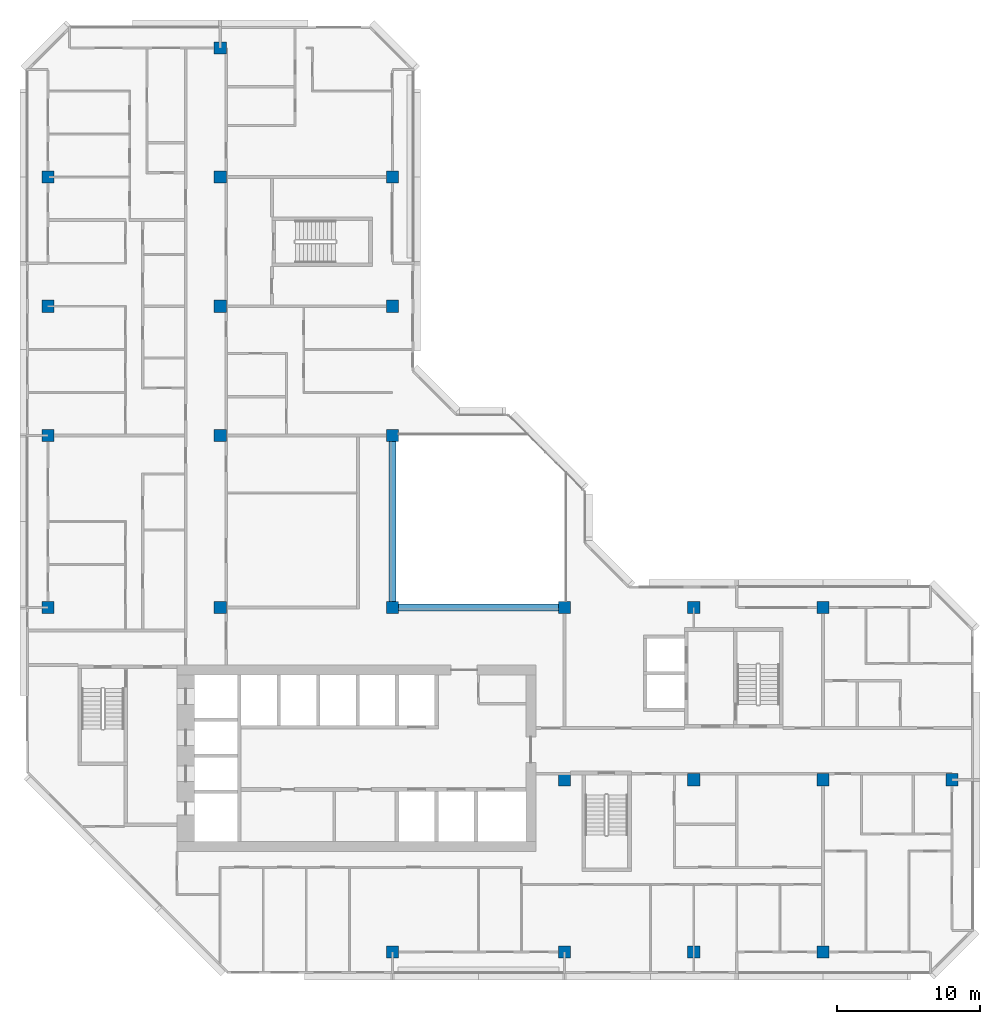
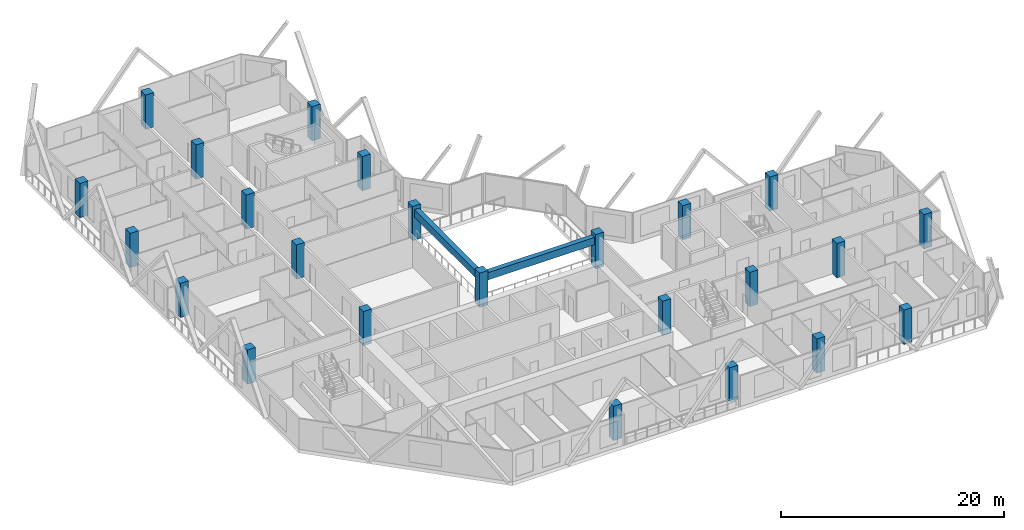
# One storey, part 1 of 16: 24 columns, 2 beams.
"""IFC4 building model written with IfcOpenShell, lengths in metres."""

from ifc_helpers import new_model, si_unit, direction, frame, origin, origin_2d, place, context, subcontext, project, spatial, rectangle, extrude, material, material_profile, profile_set, type_object, element, save


model = new_model("IFC4")

# Units and contexts
model_context = context("Model", 3, precision=1e-05, world=origin(), true_north=direction((0.0, 1.0)))
body_context = subcontext(model_context, "Body", "Model", "MODEL_VIEW")
ifc_project = project(units=[si_unit("LENGTHUNIT", "METRE"), si_unit("AREAUNIT", "SQUARE_METRE"), si_unit("VOLUMEUNIT", "CUBIC_METRE"), si_unit("PLANEANGLEUNIT", "RADIAN"), si_unit("MASSUNIT", "GRAM", prefix="KILO")], contexts=[model_context])

# Site, building, storey
site_placement = place(None, origin())
site = spatial("IfcSite", under=ifc_project, at=site_placement, CompositionType="ELEMENT")
building_placement = place(site_placement, origin())
building = spatial("IfcBuilding", under=site, at=building_placement, Name="Chenar Terraces", CompositionType="ELEMENT")
storey_placement = place(building_placement, frame((0.0, 0.0, 219.14990234375)))
storey = spatial("IfcBuildingStorey", under=building, at=storey_placement, Name="L51", CompositionType="ELEMENT", Elevation=219.14990234375)

# Columns
ifc_material_1 = material(Name="Concrete C60/75", Category="concrete")
ifc_material_profile_1 = material_profile(ifc_material_1, rectangle(XDim=0.85009765625, YDim=0.85009765625, at=origin_2d()), Name="C 850 x 850")
ifc_profile_set_1 = profile_set([ifc_material_profile_1], Name="Concrete C60/75")
column_type = type_object("IfcColumnType", Name="Column C 850 x 850 Concrete C60/75", PredefinedType="COLUMN", material=ifc_profile_set_1)
column_1_placement = place(storey_placement, frame((0.0, 24.0, 0.0), z_axis=(0.0, 0.0, 1.0), x_axis=(1.0, 0.0, 0.0)))
element("IfcColumn", 1, at=column_1_placement, inside=storey, type_object=column_type, Name="Column 5/G L51", PredefinedType="COLUMN", context=body_context, shape_type="SweptSolid", body=[
    extrude(rectangle(XDim=0.85009765625, YDim=0.85009765625, at=origin_2d()), origin(), (0.0, 0.0, 1.0), 3.75),
])
column_2_placement = place(storey_placement, frame((0.0, 36.0, 0.0), z_axis=(0.0, 0.0, 1.0), x_axis=(1.0, 0.0, 0.0)))
element("IfcColumn", 2, at=column_2_placement, inside=storey, type_object=column_type, Name="Column 5/H L51", PredefinedType="COLUMN", context=body_context, shape_type="SweptSolid", body=[
    extrude(rectangle(XDim=0.85009765625, YDim=0.85009765625, at=origin_2d()), origin(), (0.0, 0.0, 1.0), 3.75),
])
column_3_placement = place(storey_placement, frame((0.0, 45.0, 0.0), z_axis=(0.0, 0.0, 1.0), x_axis=(1.0, 0.0, 0.0)))
element("IfcColumn", 3, at=column_3_placement, inside=storey, type_object=column_type, Name="Column 5/J L51", PredefinedType="COLUMN", context=body_context, shape_type="SweptSolid", body=[
    extrude(rectangle(XDim=0.85009765625, YDim=0.85009765625, at=origin_2d()), origin(), (0.0, 0.0, 1.0), 3.75),
])
for number, where, z_axis, x_axis, name in (
    (4, (0.0, 54.0, 0.0), (0.0, 0.0, 1.0), (1.0, 0.0, 0.0), "Column 5/K L51"),
    (5, (12.0, 24.0, 0.0), (0.0, 0.0, 1.0), (1.0, 0.0, 0.0), "Column 6/G L51"),
    (6, (12.0, 36.0, 0.0), (0.0, 0.0, 1.0), (1.0, 0.0, 0.0), "Column 6/H L51"),
    (7, (12.0, 45.0, 0.0), (0.0, 0.0, 1.0), (1.0, 0.0, 0.0), "Column 6/J L51"),
    (8, (12.0, 54.0, 0.0), (0.0, 0.0, 1.0), (1.0, 0.0, 0.0), "Column 6/K L51"),
    (9, (12.0, 63.0, 0.0), (0.0, 0.0, 1.0), (1.0, 0.0, 0.0), "Column 6/L L51"),
    (10, (24.0, 0.0, 0.0), (0.0, 0.0, 1.0), (1.0, 0.0, 0.0), "Column 7/E L51"),
    (11, (24.0, 24.0, 0.0), (0.0, 0.0, 1.0), (1.0, 0.0, 0.0), "Column 7/G L51"),
    (12, (24.0, 36.0, 0.0), (0.0, 0.0, 1.0), (1.0, 0.0, 0.0), "Column 7/H L51"),
    (13, (24.0, 45.0, 0.0), (0.0, 0.0, 1.0), (1.0, 0.0, 0.0), "Column 7/J L51"),
    (14, (24.0, 54.0, 0.0), (0.0, 0.0, 1.0), (1.0, 0.0, 0.0), "Column 7/K L51"),
    (15, (36.0, 0.0, 0.0), (0.0, 0.0, 1.0), (1.0, 0.0, 0.0), "Column 8/E L51"),
    (16, (36.0, 12.0, 0.0), (0.0, 0.0, 1.0), (1.0, 0.0, 0.0), "Column 8/F L51"),
    (17, (36.0, 24.0, 0.0), (0.0, 0.0, 1.0), (1.0, 0.0, 0.0), "Column 8/G L51"),
    (18, (45.0, 0.0, 0.0), (0.0, 0.0, 1.0), (1.0, 0.0, 0.0), "Column 9/E L51"),
    (19, (45.0, 12.0, 0.0), (0.0, 0.0, 1.0), (1.0, 0.0, 0.0), "Column 9/F L51"),
    (20, (45.0, 24.0, 0.0), (0.0, 0.0, 1.0), (1.0, 0.0, 0.0), "Column 9/G L51"),
    (21, (54.0, 0.0, 0.0), (0.0, 0.0, 1.0), (1.0, 0.0, 0.0), "Column 10/E L51"),
    (22, (54.0, 12.0, 0.0), (0.0, 0.0, 1.0), (1.0, 0.0, 0.0), "Column 10/F L51"),
    (23, (54.0, 24.0, 0.0), (0.0, 0.0, 1.0), (1.0, 0.0, 0.0), "Column 10/G L51"),
    (24, (63.0, 12.0, 0.0), (0.0, 0.0, 1.0), (1.0, 0.0, 0.0), "Column 11/F L51"),
):
    element("IfcColumn", number, at=place(storey_placement, frame(where, z_axis=z_axis, x_axis=x_axis)), inside=storey, type_object=column_type, Name=name, PredefinedType="COLUMN", context=body_context, shape_type="SweptSolid", body=[
        extrude(rectangle(XDim=0.85009765625, YDim=0.85009765625, at=origin_2d()), origin(), (0.0, 0.0, 1.0), 3.75),
    ])

# Beams
ifc_material_2 = material(Name="Concrete C40/50", Category="concrete")
ifc_material_profile_2 = material_profile(ifc_material_2, rectangle(XDim=0.5, YDim=0.800048828125, at=origin_2d()), Name="RC 500 x 800")
ifc_profile_set_2 = profile_set([ifc_material_profile_2], Name="Concrete C40/50")
beam_type = type_object("IfcBeamType", Name="Atrium edge beam 500 x 800 Concrete C40/50", PredefinedType="BEAM", material=ifc_profile_set_2)
for number, where, z_axis, x_axis, name in (
    (25, (24.425048828125, 24.0, 2.9501953125), (1.0, 0.0, 0.0), (0.0, 1.0, 0.0), "Atrium edge beam L52 1"),
    (26, (24.0, 35.574951171875, 2.9501953125), (0.0, -1.0, 0.0), (1.0, 0.0, 0.0), "Atrium edge beam L52 4"),
):
    element("IfcBeam", number, at=place(storey_placement, frame(where, z_axis=z_axis, x_axis=x_axis)), inside=storey, type_object=beam_type, Name=name, PredefinedType="BEAM", context=body_context, shape_type="SweptSolid", body=[
        extrude(rectangle(XDim=0.5, YDim=0.800048828125, at=origin_2d()), origin(), (0.0, 0.0, 1.0), 11.14990234375),
    ])

save(model, "model.ifc")
